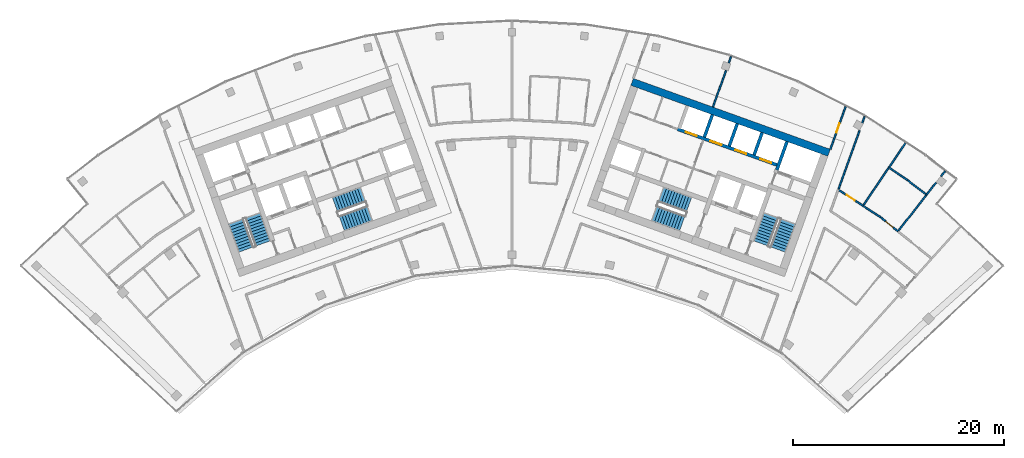
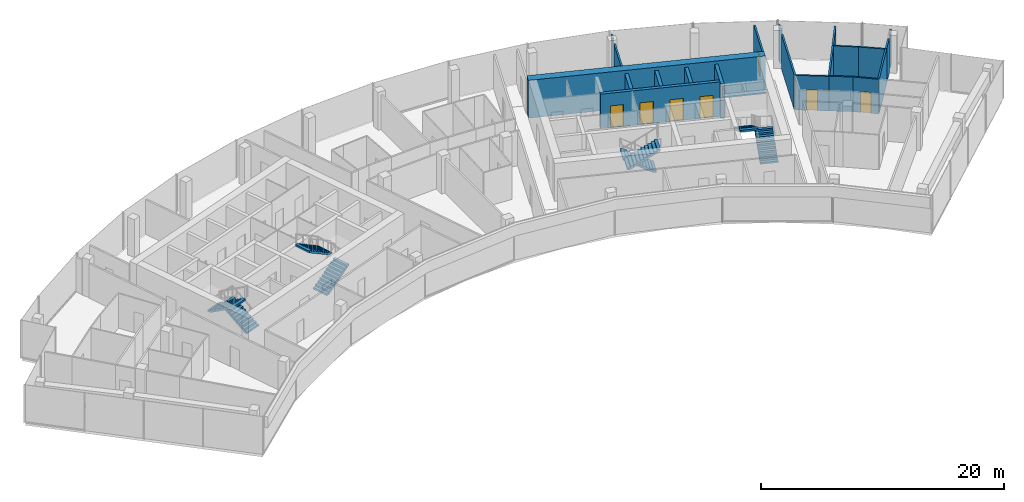
# One storey, part 17 of 18: 21 walls, 8 stair flights, 7 doors, 7 openings, 4 elements without a shape of their own.
"""IFC4 building model written with IfcOpenShell, lengths in metres."""

import ifcopenshell
import ifcopenshell.guid

model = None  # the IFC model being written
_history = None  # IfcOwnerHistory: only IFC2X3 demands one
_inside = {}  # id of a spatial element -> (the spatial element, [elements in it])
_under = {}  # id of a project, library or spatial element -> (it, [spatial elements below it])
_declared = {}  # id of a project -> (the project, [libraries it declares])
_typed = {}  # id of a type object -> (the type object, [elements of that type])
_made_of = {}  # id of a material, layer set ... -> (it, [elements and type objects made of it])


def new_model(schema):
    """Start an empty IFC model of exactly this schema.

    Asked for "IFC4X3", IfcOpenShell would pick the latest addendum, in which some entities
    have other attributes; the version numbers below select the first issue.
    IFC2X3 requires an IfcOwnerHistory on every rooted entity: one is made here for all.
    """
    global model, _history
    if schema == "IFC4X3":
        model = ifcopenshell.file(schema_version=(4, 3, 0, 0))
    else:
        model = ifcopenshell.file(schema=schema)
    _inside.clear()
    _under.clear()
    _declared.clear()
    _typed.clear()
    _made_of.clear()
    _history = None
    if model.schema == "IFC2X3":
        org = make("IfcOrganization", Name="unknown")
        user = make(
            "IfcPersonAndOrganization",
            ThePerson=make("IfcPerson", FamilyName="unknown"),
            TheOrganization=org,
        )
        app = make(
            "IfcApplication",
            ApplicationDeveloper=org,
            Version="unknown",
            ApplicationFullName="unknown",
            ApplicationIdentifier="unknown",
        )
        _history = make(
            "IfcOwnerHistory",
            OwningUser=user,
            OwningApplication=app,
            ChangeAction="ADDED",
            CreationDate=0,
        )
    return model


def make(cls, **values):
    """One entity of the class cls with the attributes given. An attribute that is None is left unset."""
    return model.create_entity(
        cls, **{name: value for name, value in values.items() if value is not None}
    )


def rooted(cls, **values):
    """An entity with a GlobalId (a new one), such as an element, a storey or a relation."""
    return make(cls, GlobalId=ifcopenshell.guid.new(), OwnerHistory=_history, **values)


def si_unit(unit_type, name, prefix=None):
    """IfcSIUnit, for example si_unit("LENGTHUNIT", "METRE", prefix="MILLI")."""
    return make("IfcSIUnit", UnitType=unit_type, Prefix=prefix, Name=name)


def assignment(units):
    """IfcUnitAssignment: the units of a project."""
    return None if units is None else make("IfcUnitAssignment", Units=units)


def point(xyz):
    """IfcCartesianPoint."""
    return None if xyz is None else make("IfcCartesianPoint", Coordinates=xyz)


def direction(xyz):
    """IfcDirection."""
    return None if xyz is None else make("IfcDirection", DirectionRatios=xyz)


def frame(location, z_axis=None, x_axis=None):
    """IfcAxis2Placement3D, a coordinate frame: its origin and axes. An axis left out is left unset."""
    return make(
        "IfcAxis2Placement3D",
        Location=point(location),
        Axis=direction(z_axis),
        RefDirection=direction(x_axis),
    )


def frame_2d(location, x_axis=None):
    """IfcAxis2Placement2D, a coordinate frame in the plane: its origin and x axis."""
    return make(
        "IfcAxis2Placement2D", Location=point(location), RefDirection=direction(x_axis)
    )


def origin():
    """The frame at (0, 0, 0) with its axes left unset."""
    return frame((0.0, 0.0, 0.0))


def place(relative_to, where):
    """IfcLocalPlacement: puts the frame where relative to a parent placement (None: the world)."""
    return make(
        "IfcLocalPlacement", PlacementRelTo=relative_to, RelativePlacement=where
    )


def context(
    kind, dimensions, precision=None, world=None, true_north=None, identifier=None
):
    """IfcGeometricRepresentationContext, for example the 3D "Model" context."""
    return make(
        "IfcGeometricRepresentationContext",
        ContextIdentifier=identifier,
        ContextType=kind,
        CoordinateSpaceDimension=dimensions,
        Precision=precision,
        WorldCoordinateSystem=world,
        TrueNorth=true_north,
    )


def subcontext(parent, identifier, kind, view, scale=None):
    """IfcGeometricRepresentationSubContext, for example "Body" below "Model"."""
    return make(
        "IfcGeometricRepresentationSubContext",
        ContextIdentifier=identifier,
        ContextType=kind,
        ParentContext=parent,
        TargetScale=scale,
        TargetView=view,
    )


def project(units=None, contexts=None):
    """IfcProject with its units and contexts."""
    return rooted(
        "IfcProject",
        Name="project",
        RepresentationContexts=contexts,
        UnitsInContext=assignment(units),
    )


def spatial(cls, under=None, at=None, **own):
    """A site, building, storey or space (cls), placed at a placement, below another one or the project."""
    s = rooted(cls, ObjectPlacement=at, **own)
    if under is not None:
        _under.setdefault(under.id(), (under, []))[1].append(s)
    return s


def polyline(points):
    """IfcPolyline through the points."""
    return make("IfcPolyline", Points=[point(p) for p in points])


def profile(cls, at=None, kind="AREA", **sizes):
    """A parametric profile (cls). Its sizes go by their IFC names, for example OverallWidth=200.0."""
    return make(cls, ProfileType=kind, Position=at, **sizes)


def rectangle(**sizes):
    """IfcRectangleProfileDef."""
    return profile("IfcRectangleProfileDef", **sizes)


def outline(outer, holes=None, kind="AREA"):
    """IfcArbitraryClosedProfileDef: a profile drawn as a closed curve; with holes, ...WithVoids."""
    if holes is None:
        return make("IfcArbitraryClosedProfileDef", ProfileType=kind, OuterCurve=outer)
    return make(
        "IfcArbitraryProfileDefWithVoids",
        ProfileType=kind,
        OuterCurve=outer,
        InnerCurves=holes,
    )


def extrude(swept, where, along, depth):
    """IfcExtrudedAreaSolid: the profile swept, set in the frame where, extruded along a direction by depth."""
    return make(
        "IfcExtrudedAreaSolid",
        SweptArea=swept,
        Position=where,
        ExtrudedDirection=direction(along),
        Depth=depth,
    )


def shape(context_of_items, identifier, shape_type, items):
    """IfcShapeRepresentation: the items that make up one representation, for example the "Body"."""
    return make(
        "IfcShapeRepresentation",
        ContextOfItems=context_of_items,
        RepresentationIdentifier=identifier,
        RepresentationType=shape_type,
        Items=items,
    )


def material(Name=None, Category=None):
    """IfcMaterial."""
    return make("IfcMaterial", Name=Name, Category=Category)


def layer(
    of_material, thickness, ventilated=None, Name=None, Category=None, Priority=None
):
    """IfcMaterialLayer: one layer of a wall or slab, of a material (None: an air gap)."""
    return make(
        "IfcMaterialLayer",
        Material=of_material,
        LayerThickness=thickness,
        IsVentilated=ventilated,
        Name=Name,
        Category=Category,
        Priority=Priority,
    )


def layer_set(layers, Name=None):
    """IfcMaterialLayerSet."""
    return make("IfcMaterialLayerSet", MaterialLayers=layers, LayerSetName=Name)


def made_of(thing, what):
    """Note that an element or type object is made of a material, layer set ...; save() writes the relation."""
    if what is not None:
        _made_of.setdefault(what.id(), (what, []))[1].append(thing)
    return thing


def type_object(cls, material=None, **own):
    """A type object (cls), such as IfcWallType, which elements share."""
    return made_of(rooted(cls, **own), material)


def element(
    cls,
    number,
    at=None,
    inside=None,
    cuts=None,
    type_object=None,
    material=None,
    context=None,
    identifier="Body",
    shape_type=None,
    held_by="IfcProductDefinitionShape",
    body=None,
    shapes=None,
    **own,
):
    """One element of the class cls, such as IfcWall. Its Tag is "e" and its number.

    at: its placement. inside: the storey or other place that contains it. cuts: it is an
    opening in that element (IfcRelVoidsElement). A single representation is given by context,
    identifier, shape_type and body (its items); several are given by shapes. held_by: the class
    of the entity that holds the representations. save() writes the other relations.
    """
    e = rooted(cls, Tag="e%d" % number, ObjectPlacement=at, **own)
    if body is not None:
        shapes = [shape(context, identifier, shape_type, body)]
    if shapes is not None:
        e.Representation = make(held_by, Representations=shapes)
    if inside is not None:
        _inside.setdefault(inside.id(), (inside, []))[1].append(e)
    if cuts is not None:
        rooted(
            "IfcRelVoidsElement", RelatingBuildingElement=cuts, RelatedOpeningElement=e
        )
    if type_object is not None:
        _typed.setdefault(type_object.id(), (type_object, []))[1].append(e)
    return made_of(e, material)


def fill(opening, filler):
    """IfcRelFillsElement: the door or window that sits in an opening."""
    return rooted(
        "IfcRelFillsElement",
        RelatingOpeningElement=opening,
        RelatedBuildingElement=filler,
    )


def aggregate(whole, parts):
    """IfcRelAggregates: a whole, such as a stair, and the parts it consists of."""
    return rooted("IfcRelAggregates", RelatingObject=whole, RelatedObjects=parts)


def save(model, path):
    """Write the relations noted so far, then the file.

    IfcRelAggregates (storeys below a building ...), IfcRelContainedInSpatialStructure (elements
    in a storey), IfcRelDefinesByType, IfcRelAssociatesMaterial and IfcRelDeclares: one each for
    every whole, place, type object, material and project.
    """
    for whole, parts in _under.values():
        aggregate(whole, parts)
    for where, things in _inside.values():
        rooted(
            "IfcRelContainedInSpatialStructure",
            RelatedElements=things,
            RelatingStructure=where,
        )
    for kind, things in _typed.values():
        rooted("IfcRelDefinesByType", RelatedObjects=things, RelatingType=kind)
    for what, things in _made_of.values():
        rooted("IfcRelAssociatesMaterial", RelatedObjects=things, RelatingMaterial=what)
    for by, libraries in _declared.values():
        rooted("IfcRelDeclares", RelatingContext=by, RelatedDefinitions=libraries)
    model.write(path)


model = new_model("IFC4")

# Units and contexts
model_context = context("Model", 3, precision=1e-05, world=origin(), true_north=direction((0.0, 1.0)))
body_context = subcontext(model_context, "Body", "Model", "MODEL_VIEW")
ifc_project = project(units=[si_unit("LENGTHUNIT", "METRE"), si_unit("AREAUNIT", "SQUARE_METRE"), si_unit("VOLUMEUNIT", "CUBIC_METRE"), si_unit("PLANEANGLEUNIT", "RADIAN"), si_unit("MASSUNIT", "GRAM", prefix="KILO")], contexts=[model_context])

# Site, building, storey
site_placement = place(None, origin())
site = spatial("IfcSite", under=ifc_project, at=site_placement, CompositionType="ELEMENT")
building_placement = place(site_placement, origin())
building = spatial("IfcBuilding", under=site, at=building_placement, Name="Stone Belt Terrace Tower", CompositionType="ELEMENT")
storey_placement = place(building_placement, frame((0.0, 0.0, 277.0)))
storey = spatial("IfcBuildingStorey", under=building, at=storey_placement, Name="L67", CompositionType="ELEMENT", Elevation=277.0)

# Walls
ifc_material_1 = material(Name="Concrete B60", Category="concrete")
ifc_layer_1 = layer(ifc_material_1, 0.699951171875)
ifc_layer_set_1 = layer_set([ifc_layer_1], Name="Core wall 700 B60")
wall_type_1 = type_object("IfcWallType", Name="Core wall 700 B60", PredefinedType="SHEAR", material=ifc_layer_set_1)
wall_1_placement = place(storey_placement, frame((11.35791015625, 60.795654296875, 0.0), z_axis=(0.0, 0.0, 1.0), x_axis=(0.940919787944, -0.33862952124, 0.0)))
element("IfcWall", 1, at=wall_1_placement, inside=storey, type_object=wall_type_1, Name="Core B wall convex L67", PredefinedType="SHEAR", context=body_context, shape_type="SweptSolid", body=[
    extrude(rectangle(XDim=19.7998046875, YDim=0.699951171875, at=frame_2d((9.89990234375, 0.0))), origin(), (0.0, 0.0, 1.0), 3.800048828125),
])
ifc_material_2 = material(Name="Concrete B80", Category="concrete")
ifc_layer_2 = layer(ifc_material_2, 0.300048828125)
ifc_layer_set_2 = layer_set([ifc_layer_2], Name="Lift shaft wall 300")
wall_type_2 = type_object("IfcWallType", Name="Lift shaft wall 300", PredefinedType="SHEAR", material=ifc_layer_set_2)
wall_2_placement = place(storey_placement, frame((25.046875, 52.46826171875, 0.0), z_axis=(0.0, 0.0, 1.0), x_axis=(0.338549588058, 0.940948551423, 0.0)))
element("IfcWall", 2, at=wall_2_placement, inside=storey, type_object=wall_type_2, Name="Core B wall", PredefinedType="SHEAR", context=body_context, shape_type="SweptSolid", body=[
    extrude(rectangle(XDim=2.849853515625, YDim=0.300048828125, at=frame_2d((1.4248046875, 0.0))), origin(), (0.0, 0.0, 1.0), 3.47998046875),
])

# Wall, openings, doors
wall_3_placement = place(storey_placement, frame((25.05810546875, 52.9423828125, 0.0), z_axis=(0.0, 0.0, 1.0), x_axis=(-0.940924441602, 0.338616590255, 0.0)))
wall_3 = element("IfcWall", 3, at=wall_3_placement, inside=storey, type_object=wall_type_2, Name="Core B wall", PredefinedType="SHEAR", context=body_context, shape_type="SweptSolid", body=[
    extrude(rectangle(XDim=10.000244140625, YDim=0.300048828125, at=frame_2d((5.0, 0.0))), origin(), (0.0, 0.0, 1.0), 3.47998046875),
])
opening_1_placement = place(wall_3_placement, frame((0.570068359375, 0.0, 0.0)))
opening_1 = element("IfcOpeningElement", 4, at=opening_1_placement, cuts=wall_3, Name="Opening L67-LD08", PredefinedType="OPENING", context=body_context, shape_type="SweptSolid", body=[
    extrude(rectangle(XDim=1.10009765625, YDim=2.199951171875, at=frame_2d((0.550048828125, 1.10009765625))), frame((0.0, 0.159912109375, 0.0), z_axis=(0.0, -1.0, 0.0), x_axis=(1.0, 0.0, 0.0)), (0.0, 0.0, 1.0), 0.320068359375),
])
opening_2_placement = place(wall_3_placement, frame((3.070068359375, 0.0, 0.0)))
opening_2 = element("IfcOpeningElement", 5, at=opening_2_placement, cuts=wall_3, Name="Opening L67-LD09", PredefinedType="OPENING", context=body_context, shape_type="SweptSolid", body=[
    extrude(rectangle(XDim=1.10009765625, YDim=2.199951171875, at=frame_2d((0.550048828125, 1.10009765625))), frame((0.0, 0.159912109375, 0.0), z_axis=(0.0, -1.0, 0.0), x_axis=(1.0, 0.0, 0.0)), (0.0, 0.0, 1.0), 0.320068359375),
])
opening_3_placement = place(wall_3_placement, frame((5.570068359375, 0.0, 0.0)))
opening_3 = element("IfcOpeningElement", 6, at=opening_3_placement, cuts=wall_3, Name="Opening L67-LD10", PredefinedType="OPENING", context=body_context, shape_type="SweptSolid", body=[
    extrude(rectangle(XDim=1.10009765625, YDim=2.199951171875, at=frame_2d((0.550048828125, 1.10009765625))), frame((0.0, 0.159912109375, 0.0), z_axis=(0.0, -1.0, 0.0), x_axis=(1.0, 0.0, 0.0)), (0.0, 0.0, 1.0), 0.320068359375),
])
opening_4_placement = place(wall_3_placement, frame((8.070068359375, 0.0, 0.0)))
opening_4 = element("IfcOpeningElement", 7, at=opening_4_placement, cuts=wall_3, Name="Opening L67-LD11", PredefinedType="OPENING", context=body_context, shape_type="SweptSolid", body=[
    extrude(rectangle(XDim=1.10009765625, YDim=2.199951171875, at=frame_2d((0.550048828125, 1.10009765625))), frame((0.0, 0.159912109375, 0.0), z_axis=(0.0, -1.0, 0.0), x_axis=(1.0, 0.0, 0.0)), (0.0, 0.0, 1.0), 0.320068359375),
])
ifc_material_3 = material(Name="Stainless steel door leaf", Category="steel")
door_type_1 = type_object("IfcDoorType", Name="Landing door 1100", OperationType="SLIDING_TO_LEFT", PredefinedType="DOOR", material=ifc_material_3)
door_1_placement = place(opening_1_placement, origin())
door_1 = element("IfcDoor", 8, at=door_1_placement, inside=storey, type_object=door_type_1, Name="Landing door HR1 core B", OperationType="SLIDING_TO_LEFT", OverallHeight=2.199951171875, OverallWidth=1.10009765625, PredefinedType="DOOR", context=body_context, shape_type="SweptSolid", body=[
    extrude(rectangle(XDim=1.10009765625, YDim=2.199951171875, at=frame_2d((0.550048828125, 1.10009765625))), frame((0.0, 0.02490234375, 0.0), z_axis=(0.0, -1.0, 0.0), x_axis=(1.0, 0.0, 0.0)), (0.0, 0.0, 1.0), 0.050048828125),
])
fill(opening_1, door_1)
door_2_placement = place(opening_2_placement, origin())
door_2 = element("IfcDoor", 9, at=door_2_placement, inside=storey, type_object=door_type_1, Name="Landing door HR2 core B", OperationType="SLIDING_TO_LEFT", OverallHeight=2.199951171875, OverallWidth=1.10009765625, PredefinedType="DOOR", context=body_context, shape_type="SweptSolid", body=[
    extrude(rectangle(XDim=1.10009765625, YDim=2.199951171875, at=frame_2d((0.550048828125, 1.10009765625))), frame((0.0, 0.02490234375, 0.0), z_axis=(0.0, -1.0, 0.0), x_axis=(1.0, 0.0, 0.0)), (0.0, 0.0, 1.0), 0.050048828125),
])
fill(opening_2, door_2)
door_3_placement = place(opening_3_placement, origin())
door_3 = element("IfcDoor", 10, at=door_3_placement, inside=storey, type_object=door_type_1, Name="Landing door HR3 core B", OperationType="SLIDING_TO_LEFT", OverallHeight=2.199951171875, OverallWidth=1.10009765625, PredefinedType="DOOR", context=body_context, shape_type="SweptSolid", body=[
    extrude(rectangle(XDim=1.10009765625, YDim=2.199951171875, at=frame_2d((0.550048828125, 1.10009765625))), frame((0.0, 0.02490234375, 0.0), z_axis=(0.0, -1.0, 0.0), x_axis=(1.0, 0.0, 0.0)), (0.0, 0.0, 1.0), 0.050048828125),
])
fill(opening_3, door_3)
door_4_placement = place(opening_4_placement, origin())
door_4 = element("IfcDoor", 11, at=door_4_placement, inside=storey, type_object=door_type_1, Name="Landing door HR4 core B", OperationType="SLIDING_TO_LEFT", OverallHeight=2.199951171875, OverallWidth=1.10009765625, PredefinedType="DOOR", context=body_context, shape_type="SweptSolid", body=[
    extrude(rectangle(XDim=1.10009765625, YDim=2.199951171875, at=frame_2d((0.550048828125, 1.10009765625))), frame((0.0, 0.02490234375, 0.0), z_axis=(0.0, -1.0, 0.0), x_axis=(1.0, 0.0, 0.0)), (0.0, 0.0, 1.0), 0.050048828125),
])
fill(opening_4, door_4)

# Walls
wall_4_placement = place(storey_placement, frame((22.897705078125, 53.87939453125, 0.0), z_axis=(0.0, 0.0, 1.0), x_axis=(0.338535034312, 0.940953787677, 0.0)))
element("IfcWall", 12, at=wall_4_placement, inside=storey, type_object=wall_type_2, Name="Core B wall", PredefinedType="SHEAR", context=body_context, shape_type="SweptSolid", body=[
    extrude(rectangle(XDim=2.25, YDim=0.300048828125, at=frame_2d((1.125, 0.0))), origin(), (0.0, 0.0, 1.0), 3.47998046875),
])
wall_5_placement = place(storey_placement, frame((20.54541015625, 54.72607421875, 0.0), z_axis=(0.0, 0.0, 1.0), x_axis=(0.338569601369, 0.940941350472, 0.0)))
element("IfcWall", 13, at=wall_5_placement, inside=storey, type_object=wall_type_2, Name="Core B wall", PredefinedType="SHEAR", context=body_context, shape_type="SweptSolid", body=[
    extrude(rectangle(XDim=2.249755859375, YDim=0.300048828125, at=frame_2d((1.125, 0.0))), origin(), (0.0, 0.0, 1.0), 3.47998046875),
])
wall_6_placement = place(storey_placement, frame((18.193115234375, 55.572509765625, 0.0), z_axis=(0.0, 0.0, 1.0), x_axis=(0.338535034312, 0.940953787677, 0.0)))
element("IfcWall", 14, at=wall_6_placement, inside=storey, type_object=wall_type_2, Name="Core B wall", PredefinedType="SHEAR", context=body_context, shape_type="SweptSolid", body=[
    extrude(rectangle(XDim=2.25, YDim=0.300048828125, at=frame_2d((1.125, 0.0))), origin(), (0.0, 0.0, 1.0), 3.47998046875),
])

# Wall, opening, door
ifc_material_4 = material(Name="Gypsum board partition")
ifc_layer_3 = layer(ifc_material_4, 0.14990234375)
ifc_layer_set_3 = layer_set([ifc_layer_3], Name="PARTITION 150 EI 60")
wall_type_3 = type_object("IfcWallType", Name="PARTITION 150 EI 60", PredefinedType="PARTITIONING", material=ifc_layer_set_3)
wall_7_placement = place(storey_placement, frame((30.10595703125, 54.419921875, 0.0), z_axis=(0.0, 0.0, 1.0), x_axis=(0.338580264222, 0.940937513695, 0.0)))
wall_7 = element("IfcWall", 15, at=wall_7_placement, inside=storey, type_object=wall_type_3, Name="L67/wall/i023", PredefinedType="PARTITIONING", context=body_context, shape_type="SweptSolid", body=[
    extrude(rectangle(XDim=4.285400390625, YDim=0.14990234375, at=frame_2d((2.142578125, 0.0))), origin(), (0.0, 0.0, 1.0), 3.47998046875),
])
opening_5_placement = place(wall_7_placement, frame((1.692626953125, 0.0, 0.0)))
opening_5 = element("IfcOpeningElement", 16, at=opening_5_placement, cuts=wall_7, Name="Opening D-E2-10", PredefinedType="OPENING", context=body_context, shape_type="SweptSolid", body=[
    extrude(rectangle(XDim=0.89990234375, YDim=2.10009765625, at=frame_2d((0.449951171875, 1.050048828125))), frame((0.0, 0.0849609375, 0.0), z_axis=(0.0, -1.0, 0.0), x_axis=(1.0, 0.0, 0.0)), (0.0, 0.0, 1.0), 0.169921875),
])
ifc_material_5 = material(Name="Timber door leaf", Category="wood")
door_type_2 = type_object("IfcDoorType", Name="OFFICE DOOR 900 X 2100", OperationType="NOTDEFINED", PredefinedType="DOOR", material=ifc_material_5)
door_5_placement = place(opening_5_placement, origin())
door_5 = element("IfcDoor", 17, at=door_5_placement, inside=storey, type_object=door_type_2, Name="L67/door/i10", OperationType="SINGLE_SWING_RIGHT", OverallHeight=2.10009765625, OverallWidth=0.89990234375, PredefinedType="DOOR", context=body_context, shape_type="SweptSolid", body=[
    extrude(rectangle(XDim=0.89990234375, YDim=2.10009765625, at=frame_2d((0.449951171875, 1.050048828125))), frame((0.0, 0.02490234375, 0.0), z_axis=(0.0, -1.0, 0.0), x_axis=(1.0, 0.0, 0.0)), (0.0, 0.0, 1.0), 0.050048828125),
])
fill(opening_5, door_5)

# Walls
wall_8_placement = place(storey_placement, frame((33.348876953125, 57.523193359375, 0.0), z_axis=(0.0, 0.0, 1.0), x_axis=(-0.338733145318, -0.94088248802, 0.0)))
element("IfcWall", 18, at=wall_8_placement, inside=storey, type_object=wall_type_3, Name="L67/wall/i028", PredefinedType="PARTITIONING", context=body_context, shape_type="SweptSolid", body=[
    extrude(rectangle(XDim=0.632080078125, YDim=0.14990234375, at=frame_2d((0.31591796875, 0.0))), origin(), (0.0, 0.0, 1.0), 3.47998046875),
])
wall_9_placement = place(storey_placement, frame((32.875244140625, 56.20703125, 0.0), z_axis=(0.0, 0.0, 1.0), x_axis=(-0.338696289535, -0.940895755892, 0.0)))
element("IfcWall", 19, at=wall_9_placement, inside=storey, type_object=wall_type_3, Name="L67/wall/i029", PredefinedType="PARTITIONING", context=body_context, shape_type="SweptSolid", body=[
    extrude(rectangle(XDim=5.9677734375, YDim=0.14990234375, at=frame_2d((2.98388671875, 0.0))), origin(), (0.0, 0.0, 1.0), 3.47998046875),
])
wall_10_placement = place(storey_placement, frame((20.716796875, 63.18115234375, 0.0), z_axis=(0.0, 0.0, 1.0), x_axis=(-0.33862220563, -0.940922420742, 0.0)))
element("IfcWall", 20, at=wall_10_placement, inside=storey, type_object=wall_type_3, Name="L67/wall/i035", PredefinedType="PARTITIONING", context=body_context, shape_type="SweptSolid", body=[
    extrude(rectangle(XDim=0.622314453125, YDim=0.14990234375, at=frame_2d((0.31103515625, 0.0))), origin(), (0.0, 0.0, 1.0), 3.47998046875),
])
wall_11_placement = place(storey_placement, frame((20.24853515625, 61.88037109375, 0.0), z_axis=(0.0, 0.0, 1.0), x_axis=(-0.338663099536, -0.940907702707, 0.0)))
element("IfcWall", 21, at=wall_11_placement, inside=storey, type_object=wall_type_3, Name="L67/wall/i036", PredefinedType="PARTITIONING", context=body_context, shape_type="SweptSolid", body=[
    extrude(rectangle(XDim=3.680908203125, YDim=0.14990234375, at=frame_2d((1.84033203125, 0.0))), origin(), (0.0, 0.0, 1.0), 3.47998046875),
])

# Wall, opening, door
wall_12_placement = place(storey_placement, frame((30.85595703125, 50.597900390625, 0.0), z_axis=(0.0, 0.0, 1.0), x_axis=(0.838718223529, -0.544565644822, 0.0)))
wall_12 = element("IfcWall", 22, at=wall_12_placement, inside=storey, type_object=wall_type_3, Name="L67/wall/i075", PredefinedType="PARTITIONING", context=body_context, shape_type="SweptSolid", body=[
    extrude(rectangle(XDim=2.802001953125, YDim=0.14990234375, at=frame_2d((1.40087890625, 0.0))), origin(), (0.0, 0.0, 1.0), 3.47998046875),
])
opening_6_placement = place(wall_12_placement, frame((0.950927734375, 0.0, 0.0)))
opening_6 = element("IfcOpeningElement", 23, at=opening_6_placement, cuts=wall_12, Name="Opening D-E2-23", PredefinedType="OPENING", context=body_context, shape_type="SweptSolid", body=[
    extrude(rectangle(XDim=0.89990234375, YDim=2.10009765625, at=frame_2d((0.449951171875, 1.050048828125))), frame((0.0, 0.0849609375, 0.0), z_axis=(0.0, -1.0, 0.0), x_axis=(1.0, 0.0, 0.0)), (0.0, 0.0, 1.0), 0.169921875),
])
door_6_placement = place(opening_6_placement, origin())
door_6 = element("IfcDoor", 24, at=door_6_placement, inside=storey, type_object=door_type_2, Name="L67/door/i23", OperationType="SINGLE_SWING_RIGHT", OverallHeight=2.10009765625, OverallWidth=0.89990234375, PredefinedType="DOOR", context=body_context, shape_type="SweptSolid", body=[
    extrude(rectangle(XDim=0.89990234375, YDim=2.10009765625, at=frame_2d((0.449951171875, 1.050048828125))), frame((0.0, 0.02490234375, 0.0), z_axis=(0.0, -1.0, 0.0), x_axis=(1.0, 0.0, 0.0)), (0.0, 0.0, 1.0), 0.050048828125),
])
fill(opening_6, door_6)

# Wall
wall_13_placement = place(storey_placement, frame((33.196044921875, 49.077880859375, 0.0), z_axis=(0.0, 0.0, 1.0), x_axis=(0.838767892149, -0.544489139562, 0.0)))
element("IfcWall", 25, at=wall_13_placement, inside=storey, type_object=wall_type_3, Name="L67/wall/i076", PredefinedType="PARTITIONING", context=body_context, shape_type="SweptSolid", body=[
    extrude(rectangle(XDim=1.994384765625, YDim=0.14990234375, at=frame_2d((0.9970703125, 0.0))), origin(), (0.0, 0.0, 1.0), 3.47998046875),
])

# Wall, opening, door
wall_14_placement = place(storey_placement, frame((34.868896484375, 47.991943359375, 0.0), z_axis=(0.0, 0.0, 1.0), x_axis=(0.777164283985, -0.629297763939, 0.0)))
wall_14 = element("IfcWall", 26, at=wall_14_placement, inside=storey, type_object=wall_type_3, Name="L67/wall/i077", PredefinedType="PARTITIONING", context=body_context, shape_type="SweptSolid", body=[
    extrude(rectangle(XDim=2.11669921875, YDim=0.14990234375, at=frame_2d((1.058349609375, 0.0))), origin(), (0.0, 0.0, 1.0), 3.47998046875),
])
opening_7_placement = place(wall_14_placement, frame((0.6083984375, 0.0, 0.0)))
opening_7 = element("IfcOpeningElement", 27, at=opening_7_placement, cuts=wall_14, Name="Opening D-E2-24", PredefinedType="OPENING", context=body_context, shape_type="SweptSolid", body=[
    extrude(rectangle(XDim=0.89990234375, YDim=2.10009765625, at=frame_2d((0.449951171875, 1.050048828125))), frame((0.0, 0.0849609375, 0.0), z_axis=(0.0, -1.0, 0.0), x_axis=(1.0, 0.0, 0.0)), (0.0, 0.0, 1.0), 0.169921875),
])
door_7_placement = place(opening_7_placement, origin())
door_7 = element("IfcDoor", 28, at=door_7_placement, inside=storey, type_object=door_type_2, Name="L67/door/i24", OperationType="SINGLE_SWING_RIGHT", OverallHeight=2.10009765625, OverallWidth=0.89990234375, PredefinedType="DOOR", context=body_context, shape_type="SweptSolid", body=[
    extrude(rectangle(XDim=0.89990234375, YDim=2.10009765625, at=frame_2d((0.449951171875, 1.050048828125))), frame((0.0, 0.02490234375, 0.0), z_axis=(0.0, -1.0, 0.0), x_axis=(1.0, 0.0, 0.0)), (0.0, 0.0, 1.0), 0.050048828125),
])
fill(opening_7, door_7)

# Walls
wall_15_placement = place(storey_placement, frame((35.657958984375, 52.7080078125, 0.0), z_axis=(0.0, 0.0, 1.0), x_axis=(-0.560211644635, -0.828349511508, 0.0)))
element("IfcWall", 29, at=wall_15_placement, inside=storey, type_object=wall_type_3, Name="L67/wall/i079", PredefinedType="PARTITIONING", context=body_context, shape_type="SweptSolid", body=[
    extrude(rectangle(XDim=4.385986328125, YDim=0.14990234375, at=frame_2d((2.19287109375, 0.0))), origin(), (0.0, 0.0, 1.0), 3.47998046875),
])
wall_16_placement = place(storey_placement, frame((37.218017578125, 55.013916015625, 0.0), z_axis=(0.0, 0.0, 1.0), x_axis=(-0.560129616984, -0.828404980778, 0.0)))
element("IfcWall", 30, at=wall_16_placement, inside=storey, type_object=wall_type_3, Name="L67/wall/i080", PredefinedType="PARTITIONING", context=body_context, shape_type="SweptSolid", body=[
    extrude(rectangle(XDim=2.795654296875, YDim=0.14990234375, at=frame_2d((1.39794921875, 0.0))), origin(), (0.0, 0.0, 1.0), 3.47998046875),
])
wall_17_placement = place(storey_placement, frame((35.655029296875, 52.702880859375, 0.0), z_axis=(0.0, 0.0, 1.0), x_axis=(0.82382476959, -0.566844554538, 0.0)))
element("IfcWall", 31, at=wall_17_placement, inside=storey, type_object=wall_type_3, Name="L67/wall/i081", PredefinedType="PARTITIONING", context=body_context, shape_type="SweptSolid", body=[
    extrude(rectangle(XDim=2.1328125, YDim=0.14990234375, at=frame_2d((1.06640625, 0.0))), origin(), (0.0, 0.0, 1.0), 3.47998046875),
])
wall_18_placement = place(storey_placement, frame((37.412109375, 51.493896484375, 0.0), z_axis=(0.0, 0.0, 1.0), x_axis=(0.793120467895, -0.609064794095, 0.0)))
element("IfcWall", 32, at=wall_18_placement, inside=storey, type_object=wall_type_3, Name="L67/wall/i082", PredefinedType="PARTITIONING", context=body_context, shape_type="SweptSolid", body=[
    extrude(rectangle(XDim=2.265625, YDim=0.14990234375, at=frame_2d((1.1328125, 0.0))), origin(), (0.0, 0.0, 1.0), 3.47998046875),
])
wall_19_placement = place(storey_placement, frame((39.208984375, 50.114013671875, 0.0), z_axis=(0.0, 0.0, 1.0), x_axis=(-0.616168485645, -0.787614370932, 0.0)))
element("IfcWall", 33, at=wall_19_placement, inside=storey, type_object=wall_type_3, Name="L67/wall/i083", PredefinedType="PARTITIONING", context=body_context, shape_type="SweptSolid", body=[
    extrude(rectangle(XDim=4.38037109375, YDim=0.14990234375, at=frame_2d((2.190185546875, 0.0))), origin(), (0.0, 0.0, 1.0), 3.47998046875),
])
wall_20_placement = place(storey_placement, frame((40.963623046875, 52.356689453125, 0.0), z_axis=(0.0, 0.0, 1.0), x_axis=(-0.616134966401, -0.787640592642, 0.0)))
element("IfcWall", 34, at=wall_20_placement, inside=storey, type_object=wall_type_3, Name="L67/wall/i084", PredefinedType="PARTITIONING", context=body_context, shape_type="SweptSolid", body=[
    extrude(rectangle(XDim=0.60791015625, YDim=0.14990234375, at=frame_2d((0.303955078125, 0.0))), origin(), (0.0, 0.0, 1.0), 3.47998046875),
])
wall_21_placement = place(storey_placement, frame((40.120849609375, 51.279541015625, 0.0), z_axis=(0.0, 0.0, 1.0), x_axis=(-0.616188148324, -0.787598987979, 0.0)))
element("IfcWall", 35, at=wall_21_placement, inside=storey, type_object=wall_type_3, Name="L67/wall/i085", PredefinedType="PARTITIONING", context=body_context, shape_type="SweptSolid", body=[
    extrude(rectangle(XDim=1.479736328125, YDim=0.14990234375, at=frame_2d((0.73974609375, 0.0))), origin(), (0.0, 0.0, 1.0), 3.47998046875),
])

# Stair, stair flights
ifc_material_6 = material(Name="Concrete B40", Category="concrete")
stair_type = type_object("IfcStairType", Name="Exit stair 1500", PredefinedType="HALF_TURN_STAIR", material=ifc_material_6)
stair_1_placement = place(storey_placement, origin())
stair_1 = element("IfcStair", 36, at=stair_1_placement, inside=storey, type_object=stair_type, Name="L67 Exit stair 1 core A", PredefinedType="HALF_TURN_STAIR")
stair_flight_type = type_object("IfcStairFlightType", Name="Stair flight 1500", PredefinedType="STRAIGHT", material=ifc_material_6)
stair_flight_1_placement = place(storey_placement, frame((-23.55322265625, 45.51318359375, 0.0), z_axis=(0.0, 0.0, 1.0), x_axis=(-0.338624396177, 0.940921632398, 0.0)))
stair_flight_1 = element("IfcStairFlight", 37, at=stair_flight_1_placement, type_object=stair_flight_type, Name="ST1A flight 1", NumberOfRisers=11, NumberOfTreads=10, PredefinedType="STRAIGHT", RiserHeight=0.172727273, TreadLength=0.28, context=body_context, shape_type="SweptSolid", body=[
    extrude(outline(polyline([(0.0, 0.0), (0.0, 0.172607421875), (0.280029296875, 0.172607421875), (0.280029296875, 0.345458984375), (0.56005859375, 0.345458984375), (0.56005859375, 0.51806640625), (0.840087890625, 0.51806640625), (0.840087890625, 0.69091796875), (1.1201171875, 0.69091796875), (1.1201171875, 0.863525390625), (1.39990234375, 0.863525390625), (1.39990234375, 1.036376953125), (1.679931640625, 1.036376953125), (1.679931640625, 1.208984375), (1.9599609375, 1.208984375), (1.9599609375, 1.3818359375), (2.239990234375, 1.3818359375), (2.239990234375, 1.554443359375), (2.52001953125, 1.554443359375), (2.52001953125, 1.727294921875), (2.800048828125, 1.727294921875), (2.800048828125, 1.89990234375), (2.800048828125, 1.551025390625), (0.285400390625, 0.0), (0.0, 0.0)])), frame((0.0, 0.75, 0.0), z_axis=(0.0, -1.0, 0.0), x_axis=(1.0, 0.0, 0.0)), (0.0, 0.0, 1.0), 1.5),
])
stair_flight_2_placement = place(storey_placement, frame((-26.10107421875, 47.572021484375, 1.89990234375), z_axis=(0.0, 0.0, 1.0), x_axis=(0.338624396177, -0.940921632398, 0.0)))
stair_flight_2 = element("IfcStairFlight", 38, at=stair_flight_2_placement, type_object=stair_flight_type, Name="ST1A flight 2", NumberOfRisers=11, NumberOfTreads=10, PredefinedType="STRAIGHT", RiserHeight=0.172727273, TreadLength=0.28, context=body_context, shape_type="SweptSolid", body=[
    extrude(outline(polyline([(0.0, 0.0), (0.0, 0.172607421875), (0.280029296875, 0.172607421875), (0.280029296875, 0.345458984375), (0.56005859375, 0.345458984375), (0.56005859375, 0.51806640625), (0.840087890625, 0.51806640625), (0.840087890625, 0.69091796875), (1.1201171875, 0.69091796875), (1.1201171875, 0.863525390625), (1.39990234375, 0.863525390625), (1.39990234375, 1.036376953125), (1.679931640625, 1.036376953125), (1.679931640625, 1.208984375), (1.9599609375, 1.208984375), (1.9599609375, 1.3818359375), (2.239990234375, 1.3818359375), (2.239990234375, 1.554443359375), (2.52001953125, 1.554443359375), (2.52001953125, 1.727294921875), (2.800048828125, 1.727294921875), (2.800048828125, 1.89990234375), (2.800048828125, 1.551025390625), (0.285400390625, 0.0), (0.0, 0.0)])), frame((0.0, 0.75, 0.0), z_axis=(0.0, -1.0, 0.0), x_axis=(1.0, 0.0, 0.0)), (0.0, 0.0, 1.0), 1.5),
])
aggregate(stair_1, [stair_flight_1, stair_flight_2])

stair_2_placement = place(storey_placement, origin())
stair_2 = element("IfcStair", 39, at=stair_2_placement, inside=storey, type_object=stair_type, Name="L67 Exit stair 2 core A", PredefinedType="HALF_TURN_STAIR")
stair_flight_3_placement = place(storey_placement, frame((-16.101318359375, 47.39794921875, 0.0), z_axis=(0.0, 0.0, 1.0), x_axis=(0.940921632398, 0.338624396177, 0.0)))
stair_flight_3 = element("IfcStairFlight", 40, at=stair_flight_3_placement, type_object=stair_flight_type, Name="ST2A flight 1", NumberOfRisers=11, NumberOfTreads=10, PredefinedType="STRAIGHT", RiserHeight=0.172727273, TreadLength=0.28, context=body_context, shape_type="SweptSolid", body=[
    extrude(outline(polyline([(0.0, 0.0), (0.0, 0.172607421875), (0.280029296875, 0.172607421875), (0.280029296875, 0.345458984375), (0.56005859375, 0.345458984375), (0.56005859375, 0.51806640625), (0.840087890625, 0.51806640625), (0.840087890625, 0.69091796875), (1.1201171875, 0.69091796875), (1.1201171875, 0.863525390625), (1.39990234375, 0.863525390625), (1.39990234375, 1.036376953125), (1.679931640625, 1.036376953125), (1.679931640625, 1.208984375), (1.9599609375, 1.208984375), (1.9599609375, 1.3818359375), (2.239990234375, 1.3818359375), (2.239990234375, 1.554443359375), (2.52001953125, 1.554443359375), (2.52001953125, 1.727294921875), (2.800048828125, 1.727294921875), (2.800048828125, 1.89990234375), (2.800048828125, 1.551025390625), (0.285400390625, 0.0), (0.0, 0.0)])), frame((0.0, 0.75, 0.0), z_axis=(0.0, -1.0, 0.0), x_axis=(1.0, 0.0, 0.0)), (0.0, 0.0, 1.0), 1.5),
])
stair_flight_4_placement = place(storey_placement, frame((-14.110107421875, 50.1337890625, 1.89990234375), z_axis=(0.0, 0.0, 1.0), x_axis=(-0.940921632398, -0.338624396177, 0.0)))
stair_flight_4 = element("IfcStairFlight", 41, at=stair_flight_4_placement, type_object=stair_flight_type, Name="ST2A flight 2", NumberOfRisers=11, NumberOfTreads=10, PredefinedType="STRAIGHT", RiserHeight=0.172727273, TreadLength=0.28, context=body_context, shape_type="SweptSolid", body=[
    extrude(outline(polyline([(0.0, 0.0), (0.0, 0.172607421875), (0.280029296875, 0.172607421875), (0.280029296875, 0.345458984375), (0.56005859375, 0.345458984375), (0.56005859375, 0.51806640625), (0.840087890625, 0.51806640625), (0.840087890625, 0.69091796875), (1.1201171875, 0.69091796875), (1.1201171875, 0.863525390625), (1.39990234375, 0.863525390625), (1.39990234375, 1.036376953125), (1.679931640625, 1.036376953125), (1.679931640625, 1.208984375), (1.9599609375, 1.208984375), (1.9599609375, 1.3818359375), (2.239990234375, 1.3818359375), (2.239990234375, 1.554443359375), (2.52001953125, 1.554443359375), (2.52001953125, 1.727294921875), (2.800048828125, 1.727294921875), (2.800048828125, 1.89990234375), (2.800048828125, 1.551025390625), (0.285400390625, 0.0), (0.0, 0.0)])), frame((0.0, 0.75, 0.0), z_axis=(0.0, -1.0, 0.0), x_axis=(1.0, 0.0, 0.0)), (0.0, 0.0, 1.0), 1.5),
])
aggregate(stair_2, [stair_flight_3, stair_flight_4])

stair_3_placement = place(storey_placement, origin())
stair_3 = element("IfcStair", 42, at=stair_3_placement, inside=storey, type_object=stair_type, Name="L67 Exit stair 1 core B", PredefinedType="HALF_TURN_STAIR")
stair_flight_5_placement = place(storey_placement, frame((25.15283203125, 44.9375, 0.0), z_axis=(0.0, 0.0, 1.0), x_axis=(0.338624396177, 0.940921632398, 0.0)))
stair_flight_5 = element("IfcStairFlight", 43, at=stair_flight_5_placement, type_object=stair_flight_type, Name="ST1B flight 1", NumberOfRisers=11, NumberOfTreads=10, PredefinedType="STRAIGHT", RiserHeight=0.172727273, TreadLength=0.28, context=body_context, shape_type="SweptSolid", body=[
    extrude(outline(polyline([(0.0, 0.0), (0.0, 0.172607421875), (0.280029296875, 0.172607421875), (0.280029296875, 0.345458984375), (0.56005859375, 0.345458984375), (0.56005859375, 0.51806640625), (0.840087890625, 0.51806640625), (0.840087890625, 0.69091796875), (1.1201171875, 0.69091796875), (1.1201171875, 0.863525390625), (1.39990234375, 0.863525390625), (1.39990234375, 1.036376953125), (1.679931640625, 1.036376953125), (1.679931640625, 1.208984375), (1.9599609375, 1.208984375), (1.9599609375, 1.3818359375), (2.239990234375, 1.3818359375), (2.239990234375, 1.554443359375), (2.52001953125, 1.554443359375), (2.52001953125, 1.727294921875), (2.800048828125, 1.727294921875), (2.800048828125, 1.89990234375), (2.800048828125, 1.551025390625), (0.285400390625, 0.0), (0.0, 0.0)])), frame((0.0, 0.75, 0.0), z_axis=(0.0, -1.0, 0.0), x_axis=(1.0, 0.0, 0.0)), (0.0, 0.0, 1.0), 1.5),
])
stair_flight_6_placement = place(storey_placement, frame((24.50146484375, 48.147705078125, 1.89990234375), z_axis=(0.0, 0.0, 1.0), x_axis=(-0.338624396177, -0.940921632398, 0.0)))
stair_flight_6 = element("IfcStairFlight", 44, at=stair_flight_6_placement, type_object=stair_flight_type, Name="ST1B flight 2", NumberOfRisers=11, NumberOfTreads=10, PredefinedType="STRAIGHT", RiserHeight=0.172727273, TreadLength=0.28, context=body_context, shape_type="SweptSolid", body=[
    extrude(outline(polyline([(0.0, 0.0), (0.0, 0.172607421875), (0.280029296875, 0.172607421875), (0.280029296875, 0.345458984375), (0.56005859375, 0.345458984375), (0.56005859375, 0.51806640625), (0.840087890625, 0.51806640625), (0.840087890625, 0.69091796875), (1.1201171875, 0.69091796875), (1.1201171875, 0.863525390625), (1.39990234375, 0.863525390625), (1.39990234375, 1.036376953125), (1.679931640625, 1.036376953125), (1.679931640625, 1.208984375), (1.9599609375, 1.208984375), (1.9599609375, 1.3818359375), (2.239990234375, 1.3818359375), (2.239990234375, 1.554443359375), (2.52001953125, 1.554443359375), (2.52001953125, 1.727294921875), (2.800048828125, 1.727294921875), (2.800048828125, 1.89990234375), (2.800048828125, 1.551025390625), (0.285400390625, 0.0), (0.0, 0.0)])), frame((0.0, 0.75, 0.0), z_axis=(0.0, -1.0, 0.0), x_axis=(1.0, 0.0, 0.0)), (0.0, 0.0, 1.0), 1.5),
])
aggregate(stair_3, [stair_flight_5, stair_flight_6])

stair_4_placement = place(storey_placement, origin())
stair_4 = element("IfcStair", 45, at=stair_4_placement, inside=storey, type_object=stair_type, Name="L67 Exit stair 2 core B", PredefinedType="HALF_TURN_STAIR")
stair_flight_7_placement = place(storey_placement, frame((16.74462890625, 49.185546875, 0.0), z_axis=(0.0, 0.0, 1.0), x_axis=(-0.940921632398, 0.338624396177, 0.0)))
stair_flight_7 = element("IfcStairFlight", 46, at=stair_flight_7_placement, type_object=stair_flight_type, Name="ST2B flight 1", NumberOfRisers=11, NumberOfTreads=10, PredefinedType="STRAIGHT", RiserHeight=0.172727273, TreadLength=0.28, context=body_context, shape_type="SweptSolid", body=[
    extrude(outline(polyline([(0.0, 0.0), (0.0, 0.172607421875), (0.280029296875, 0.172607421875), (0.280029296875, 0.345458984375), (0.56005859375, 0.345458984375), (0.56005859375, 0.51806640625), (0.840087890625, 0.51806640625), (0.840087890625, 0.69091796875), (1.1201171875, 0.69091796875), (1.1201171875, 0.863525390625), (1.39990234375, 0.863525390625), (1.39990234375, 1.036376953125), (1.679931640625, 1.036376953125), (1.679931640625, 1.208984375), (1.9599609375, 1.208984375), (1.9599609375, 1.3818359375), (2.239990234375, 1.3818359375), (2.239990234375, 1.554443359375), (2.52001953125, 1.554443359375), (2.52001953125, 1.727294921875), (2.800048828125, 1.727294921875), (2.800048828125, 1.89990234375), (2.800048828125, 1.551025390625), (0.285400390625, 0.0), (0.0, 0.0)])), frame((0.0, 0.75, 0.0), z_axis=(0.0, -1.0, 0.0), x_axis=(1.0, 0.0, 0.0)), (0.0, 0.0, 1.0), 1.5),
])
stair_flight_8_placement = place(storey_placement, frame((13.466796875, 48.345947265625, 1.89990234375), z_axis=(0.0, 0.0, 1.0), x_axis=(0.940921632398, -0.338624396177, 0.0)))
stair_flight_8 = element("IfcStairFlight", 47, at=stair_flight_8_placement, type_object=stair_flight_type, Name="ST2B flight 2", NumberOfRisers=11, NumberOfTreads=10, PredefinedType="STRAIGHT", RiserHeight=0.172727273, TreadLength=0.28, context=body_context, shape_type="SweptSolid", body=[
    extrude(outline(polyline([(0.0, 0.0), (0.0, 0.172607421875), (0.280029296875, 0.172607421875), (0.280029296875, 0.345458984375), (0.56005859375, 0.345458984375), (0.56005859375, 0.51806640625), (0.840087890625, 0.51806640625), (0.840087890625, 0.69091796875), (1.1201171875, 0.69091796875), (1.1201171875, 0.863525390625), (1.39990234375, 0.863525390625), (1.39990234375, 1.036376953125), (1.679931640625, 1.036376953125), (1.679931640625, 1.208984375), (1.9599609375, 1.208984375), (1.9599609375, 1.3818359375), (2.239990234375, 1.3818359375), (2.239990234375, 1.554443359375), (2.52001953125, 1.554443359375), (2.52001953125, 1.727294921875), (2.800048828125, 1.727294921875), (2.800048828125, 1.89990234375), (2.800048828125, 1.551025390625), (0.285400390625, 0.0), (0.0, 0.0)])), frame((0.0, 0.75, 0.0), z_axis=(0.0, -1.0, 0.0), x_axis=(1.0, 0.0, 0.0)), (0.0, 0.0, 1.0), 1.5),
])
aggregate(stair_4, [stair_flight_7, stair_flight_8])

save(model, "model.ifc")
